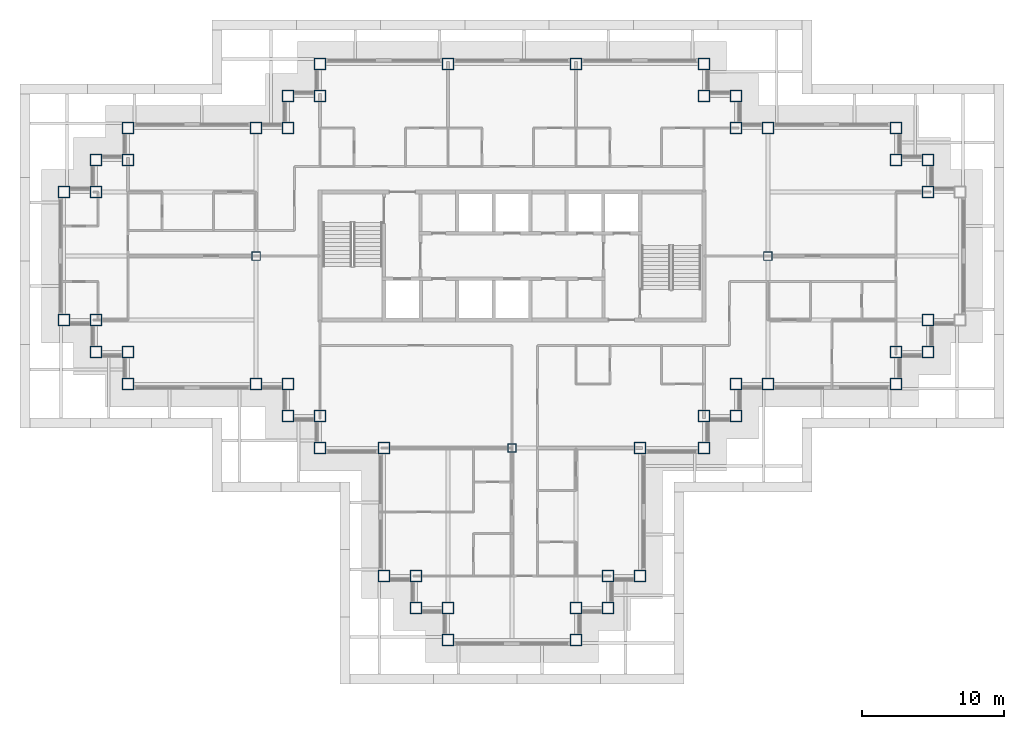
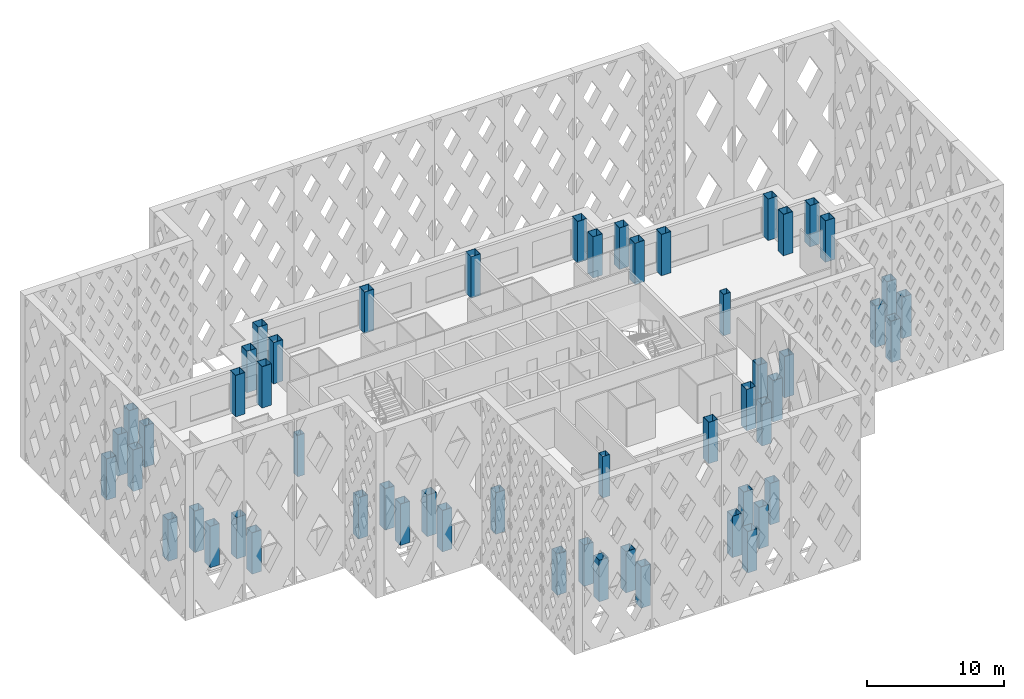
# One storey, part 1 of 19: 55 columns.
"""IFC4 building model written with IfcOpenShell, lengths in metres."""

from ifc_helpers import new_model, si_unit, direction, frame, origin, origin_2d, place, context, subcontext, project, spatial, hollow_rectangle, extrude, material, material_profile, profile_set, type_object, element, save


model = new_model("IFC4")

# Units and contexts
model_context = context("Model", 3, precision=1e-05, world=origin(), true_north=direction((0.0, 1.0)))
body_context = subcontext(model_context, "Body", "Model", "MODEL_VIEW")
ifc_project = project(units=[si_unit("LENGTHUNIT", "METRE"), si_unit("AREAUNIT", "SQUARE_METRE"), si_unit("VOLUMEUNIT", "CUBIC_METRE"), si_unit("PLANEANGLEUNIT", "RADIAN"), si_unit("MASSUNIT", "GRAM", prefix="KILO")], contexts=[model_context])

# Site, building, storey
site_placement = place(None, origin())
site = spatial("IfcSite", under=ifc_project, at=site_placement, CompositionType="ELEMENT")
building_placement = place(site_placement, origin())
building = spatial("IfcBuilding", under=site, at=building_placement, Name="Caravel Reach Hotel and Residences", CompositionType="ELEMENT")
storey_placement = place(building_placement, frame((0.0, 0.0, 150.60009765625)))
storey = spatial("IfcBuildingStorey", under=building, at=storey_placement, Name="L37", CompositionType="ELEMENT", Elevation=150.60009765625)

# Columns
ifc_material_1 = material(Name="Concrete-filled steel tube Q390B with Concrete C60 infill", Category="concrete")
ifc_material_profile_1 = material_profile(ifc_material_1, hollow_rectangle(XDim=0.60009765625, YDim=0.60009765625, WallThickness=0.02001953125, at=origin_2d()), Name="RHS 600x600x20")
ifc_profile_set_1 = profile_set([ifc_material_profile_1], Name="Concrete-filled steel tube Q390B with Concrete C60 infill")
column_type_1 = type_object("IfcColumnType", Name="CFT 600x600 Q390B C60", PredefinedType="COLUMN", material=ifc_profile_set_1)
for number, where, z_axis, x_axis, name in (
    (1, (31.5, 13.5, 0.0), (0.0, 0.0, 1.0), (1.0, 0.0, 0.0), "C8 column"),
    (2, (13.5, 27.0, 0.0), (0.0, 0.0, 1.0), (1.0, 0.0, 0.0), "C8 column"),
    (3, (49.5, 27.0, 0.0), (0.0, 0.0, 1.0), (1.0, 0.0, 0.0), "C8 column"),
):
    element("IfcColumn", number, at=place(storey_placement, frame(where, z_axis=z_axis, x_axis=x_axis)), inside=storey, type_object=column_type_1, Name=name, PredefinedType="COLUMN", context=body_context, shape_type="SweptSolid", body=[
        extrude(hollow_rectangle(XDim=0.60009765625, YDim=0.60009765625, WallThickness=0.02001953125, at=origin_2d()), origin(), (0.0, 0.0, 1.0), 3.699951171875),
    ])
ifc_material_2 = material(Name="Concrete-filled steel tube Q390B with Concrete C60 infill", Category="concrete")
ifc_material_profile_2 = material_profile(ifc_material_2, hollow_rectangle(XDim=0.800048828125, YDim=0.800048828125, WallThickness=0.02490234375, at=origin_2d()), Name="RHS 800x800x25")
ifc_profile_set_2 = profile_set([ifc_material_profile_2], Name="Concrete-filled steel tube Q390B with Concrete C60 infill")
column_type_2 = type_object("IfcColumnType", Name="CFT 800x800 Q390B C60", PredefinedType="COLUMN", material=ifc_profile_set_2)
for number, where, z_axis, x_axis, name in (
    (4, (22.5, 4.5, 0.0), (0.0, 0.0, 1.0), (1.0, 0.0, 0.0), "C5 column"),
    (5, (24.75, 4.5, 0.0), (0.0, 0.0, 1.0), (1.0, 0.0, 0.0), "C5 column"),
    (6, (24.75, 2.25, 0.0), (0.0, 0.0, 1.0), (1.0, 0.0, 0.0), "C5 column"),
    (7, (27.0, 2.25, 0.0), (0.0, 0.0, 1.0), (1.0, 0.0, 0.0), "C5 column"),
    (8, (27.0, 0.0, 0.0), (0.0, 0.0, 1.0), (1.0, 0.0, 0.0), "C5 column"),
    (9, (36.0, 0.0, 0.0), (0.0, 0.0, 1.0), (1.0, 0.0, 0.0), "C5 column"),
    (10, (36.0, 2.25, 0.0), (0.0, 0.0, 1.0), (1.0, 0.0, 0.0), "C5 column"),
    (11, (38.25, 2.25, 0.0), (0.0, 0.0, 1.0), (1.0, 0.0, 0.0), "C5 column"),
    (12, (38.25, 4.5, 0.0), (0.0, 0.0, 1.0), (1.0, 0.0, 0.0), "C5 column"),
    (13, (40.5, 4.5, 0.0), (0.0, 0.0, 1.0), (1.0, 0.0, 0.0), "C5 column"),
    (14, (40.5, 13.5, 0.0), (0.0, 0.0, 1.0), (1.0, 0.0, 0.0), "C5 column"),
    (15, (45.0, 13.5, 0.0), (0.0, 0.0, 1.0), (1.0, 0.0, 0.0), "C5 column"),
    (16, (45.0, 15.75, 0.0), (0.0, 0.0, 1.0), (1.0, 0.0, 0.0), "C5 column"),
    (17, (47.25, 15.75, 0.0), (0.0, 0.0, 1.0), (1.0, 0.0, 0.0), "C5 column"),
    (18, (47.25, 18.0, 0.0), (0.0, 0.0, 1.0), (1.0, 0.0, 0.0), "C5 column"),
    (19, (49.5, 18.0, 0.0), (0.0, 0.0, 1.0), (1.0, 0.0, 0.0), "C5 column"),
    (20, (58.5, 18.0, 0.0), (0.0, 0.0, 1.0), (1.0, 0.0, 0.0), "C5 column"),
    (21, (58.5, 20.25, 0.0), (0.0, 0.0, 1.0), (1.0, 0.0, 0.0), "C5 column"),
    (22, (60.75, 20.25, 0.0), (0.0, 0.0, 1.0), (1.0, 0.0, 0.0), "C5 column"),
    (23, (60.75, 22.5, 0.0), (0.0, 0.0, 1.0), (1.0, 0.0, 0.0), "C5 column"),
    (24, (60.75, 31.5, 0.0), (0.0, 0.0, 1.0), (1.0, 0.0, 0.0), "C5 column"),
    (25, (60.75, 33.75, 0.0), (0.0, 0.0, 1.0), (1.0, 0.0, 0.0), "C5 column"),
    (26, (58.5, 33.75, 0.0), (0.0, 0.0, 1.0), (1.0, 0.0, 0.0), "C5 column"),
    (27, (58.5, 36.0, 0.0), (0.0, 0.0, 1.0), (1.0, 0.0, 0.0), "C5 column"),
    (28, (49.5, 36.0, 0.0), (0.0, 0.0, 1.0), (1.0, 0.0, 0.0), "C5 column"),
    (29, (47.25, 36.0, 0.0), (0.0, 0.0, 1.0), (1.0, 0.0, 0.0), "C5 column"),
    (30, (47.25, 38.25, 0.0), (0.0, 0.0, 1.0), (1.0, 0.0, 0.0), "C5 column"),
    (31, (45.0, 38.25, 0.0), (0.0, 0.0, 1.0), (1.0, 0.0, 0.0), "C5 column"),
    (32, (45.0, 40.5, 0.0), (0.0, 0.0, 1.0), (1.0, 0.0, 0.0), "C5 column"),
    (33, (36.0, 40.5, 0.0), (0.0, 0.0, 1.0), (1.0, 0.0, 0.0), "C5 column"),
    (34, (27.0, 40.5, 0.0), (0.0, 0.0, 1.0), (1.0, 0.0, 0.0), "C5 column"),
    (35, (18.0, 40.5, 0.0), (0.0, 0.0, 1.0), (1.0, 0.0, 0.0), "C5 column"),
    (36, (18.0, 38.25, 0.0), (0.0, 0.0, 1.0), (1.0, 0.0, 0.0), "C5 column"),
    (37, (15.75, 38.25, 0.0), (0.0, 0.0, 1.0), (1.0, 0.0, 0.0), "C5 column"),
    (38, (15.75, 36.0, 0.0), (0.0, 0.0, 1.0), (1.0, 0.0, 0.0), "C5 column"),
    (39, (13.5, 36.0, 0.0), (0.0, 0.0, 1.0), (1.0, 0.0, 0.0), "C5 column"),
    (40, (4.5, 36.0, 0.0), (0.0, 0.0, 1.0), (1.0, 0.0, 0.0), "C5 column"),
    (41, (4.5, 33.75, 0.0), (0.0, 0.0, 1.0), (1.0, 0.0, 0.0), "C5 column"),
    (42, (2.25, 33.75, 0.0), (0.0, 0.0, 1.0), (1.0, 0.0, 0.0), "C5 column"),
    (43, (2.25, 31.5, 0.0), (0.0, 0.0, 1.0), (1.0, 0.0, 0.0), "C5 column"),
    (44, (0.0, 31.5, 0.0), (0.0, 0.0, 1.0), (1.0, 0.0, 0.0), "C5 column"),
    (45, (0.0, 22.5, 0.0), (0.0, 0.0, 1.0), (1.0, 0.0, 0.0), "C5 column"),
    (46, (2.25, 22.5, 0.0), (0.0, 0.0, 1.0), (1.0, 0.0, 0.0), "C5 column"),
    (47, (2.25, 20.25, 0.0), (0.0, 0.0, 1.0), (1.0, 0.0, 0.0), "C5 column"),
    (48, (4.5, 20.25, 0.0), (0.0, 0.0, 1.0), (1.0, 0.0, 0.0), "C5 column"),
    (49, (4.5, 18.0, 0.0), (0.0, 0.0, 1.0), (1.0, 0.0, 0.0), "C5 column"),
    (50, (13.5, 18.0, 0.0), (0.0, 0.0, 1.0), (1.0, 0.0, 0.0), "C5 column"),
    (51, (15.75, 18.0, 0.0), (0.0, 0.0, 1.0), (1.0, 0.0, 0.0), "C5 column"),
    (52, (15.75, 15.75, 0.0), (0.0, 0.0, 1.0), (1.0, 0.0, 0.0), "C5 column"),
    (53, (18.0, 15.75, 0.0), (0.0, 0.0, 1.0), (1.0, 0.0, 0.0), "C5 column"),
    (54, (18.0, 13.5, 0.0), (0.0, 0.0, 1.0), (1.0, 0.0, 0.0), "C5 column"),
    (55, (22.5, 13.5, 0.0), (0.0, 0.0, 1.0), (1.0, 0.0, 0.0), "C5 column"),
):
    element("IfcColumn", number, at=place(storey_placement, frame(where, z_axis=z_axis, x_axis=x_axis)), inside=storey, type_object=column_type_2, Name=name, PredefinedType="COLUMN", context=body_context, shape_type="SweptSolid", body=[
        extrude(hollow_rectangle(XDim=0.800048828125, YDim=0.800048828125, WallThickness=0.02490234375, at=origin_2d()), origin(), (0.0, 0.0, 1.0), 3.699951171875),
    ])

save(model, "model.ifc")
